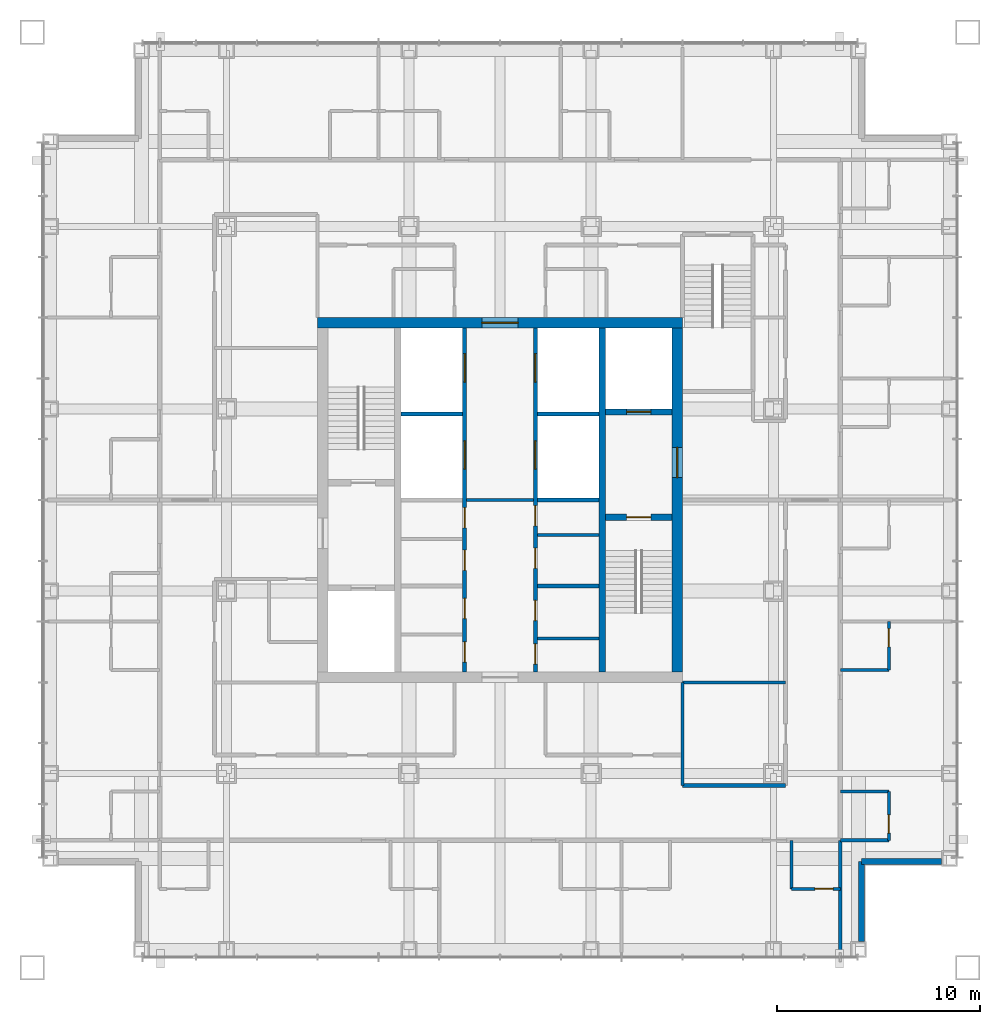
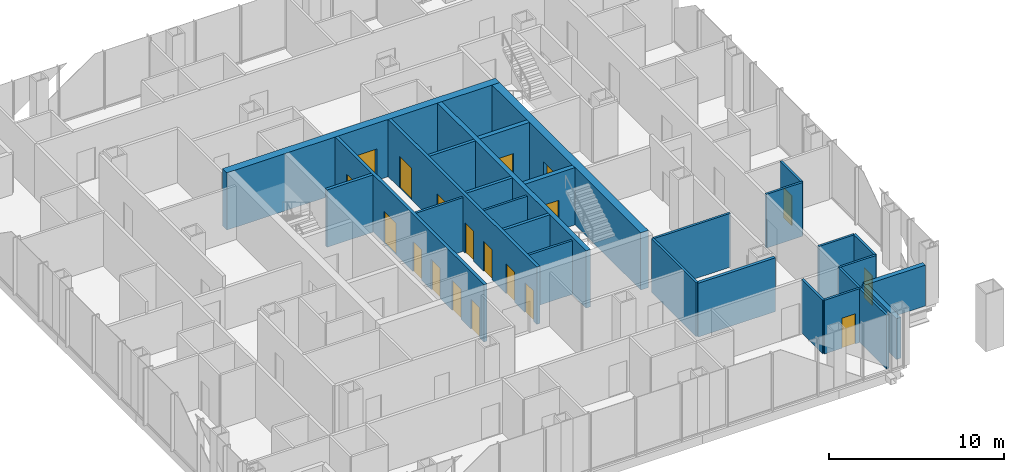
# One storey, part 8 of 15: 27 walls, 19 doors, 19 openings.
"""IFC4 building model written with IfcOpenShell, lengths in metres."""

from ifc_helpers import new_model, si_unit, direction, frame, frame_2d, origin, place, context, subcontext, project, spatial, rectangle, extrude, material, layer, layer_set, type_object, element, fill, save


model = new_model("IFC4")

# Units and contexts
model_context = context("Model", 3, precision=1e-05, world=origin(), true_north=direction((0.0, 1.0)))
body_context = subcontext(model_context, "Body", "Model", "MODEL_VIEW")
ifc_project = project(units=[si_unit("LENGTHUNIT", "METRE"), si_unit("AREAUNIT", "SQUARE_METRE"), si_unit("VOLUMEUNIT", "CUBIC_METRE"), si_unit("PLANEANGLEUNIT", "RADIAN"), si_unit("MASSUNIT", "GRAM", prefix="KILO")], contexts=[model_context])

# Site, building, storey
site_placement = place(None, origin())
site = spatial("IfcSite", under=ifc_project, at=site_placement, CompositionType="ELEMENT")
building_placement = place(site_placement, origin())
building = spatial("IfcBuilding", under=site, at=building_placement, Name="Malebo Sky Hospital", CompositionType="ELEMENT")
storey_placement = place(building_placement, frame((0.0, 0.0, 181.0)))
storey = spatial("IfcBuildingStorey", under=building, at=storey_placement, Name="L43", CompositionType="ELEMENT", Elevation=181.0)

# Wall, openings, doors
ifc_material_1 = material(Name="Concrete C80/95", Category="concrete")
ifc_layer_1 = layer(ifc_material_1, 0.199951171875)
ifc_layer_set_1 = layer_set([ifc_layer_1], Name="CORE INNER WALL 200")
wall_type_1 = type_object("IfcWallType", Name="CORE INNER WALL 200", PredefinedType="SHEAR", material=ifc_layer_set_1)
wall_1_placement = place(storey_placement, frame((58.25, 53.5, 0.0), z_axis=(0.0, 0.0, 1.0), x_axis=(0.0, 1.0, 0.0)))
wall_1 = element("IfcWall", 1, at=wall_1_placement, inside=storey, type_object=wall_type_1, Name="Core wall LW L43", PredefinedType="SHEAR", context=body_context, shape_type="SweptSolid", body=[
    extrude(rectangle(XDim=17.0, YDim=0.199951171875, at=frame_2d((8.5, 0.0))), origin(), (0.0, 0.0, 1.0), 4.0),
])
opening_1_placement = place(wall_1_placement, frame((0.49609375, 0.0, 0.0)))
opening_1 = element("IfcOpeningElement", 2, at=opening_1_placement, cuts=wall_1, Name="Opening D17", PredefinedType="OPENING", context=body_context, shape_type="SweptSolid", body=[
    extrude(rectangle(XDim=1.0, YDim=2.10009765625, at=frame_2d((0.5, 1.050048828125))), frame((0.0, 0.10986328125, 0.0), z_axis=(0.0, -1.0, 0.0), x_axis=(1.0, 0.0, 0.0)), (0.0, 0.0, 1.0), 0.219970703125),
])
opening_2_placement = place(wall_1_placement, frame((2.64599609375, 0.0, 0.0)))
opening_2 = element("IfcOpeningElement", 3, at=opening_2_placement, cuts=wall_1, Name="Opening D17", PredefinedType="OPENING", context=body_context, shape_type="SweptSolid", body=[
    extrude(rectangle(XDim=1.0, YDim=2.10009765625, at=frame_2d((0.5, 1.050048828125))), frame((0.0, 0.10986328125, 0.0), z_axis=(0.0, -1.0, 0.0), x_axis=(1.0, 0.0, 0.0)), (0.0, 0.0, 1.0), 0.219970703125),
])
opening_3_placement = place(wall_1_placement, frame((5.026611328125, 0.0, 0.0)))
opening_3 = element("IfcOpeningElement", 4, at=opening_3_placement, cuts=wall_1, Name="Opening D17", PredefinedType="OPENING", context=body_context, shape_type="SweptSolid", body=[
    extrude(rectangle(XDim=1.0, YDim=2.10009765625, at=frame_2d((0.5, 1.050048828125))), frame((0.0, 0.10986328125, 0.0), z_axis=(0.0, -1.0, 0.0), x_axis=(1.0, 0.0, 0.0)), (0.0, 0.0, 1.0), 0.219970703125),
])
opening_4_placement = place(wall_1_placement, frame((7.12646484375, 0.0, 0.0)))
opening_4 = element("IfcOpeningElement", 5, at=opening_4_placement, cuts=wall_1, Name="Opening D17", PredefinedType="OPENING", context=body_context, shape_type="SweptSolid", body=[
    extrude(rectangle(XDim=1.0, YDim=2.10009765625, at=frame_2d((0.5, 1.050048828125))), frame((0.0, 0.10986328125, 0.0), z_axis=(0.0, -1.0, 0.0), x_axis=(1.0, 0.0, 0.0)), (0.0, 0.0, 1.0), 0.219970703125),
])
opening_5_placement = place(wall_1_placement, frame((10.02490234375, 0.0, 0.0)))
opening_5 = element("IfcOpeningElement", 6, at=opening_5_placement, cuts=wall_1, Name="Opening LD1", PredefinedType="OPENING", context=body_context, shape_type="SweptSolid", body=[
    extrude(rectangle(XDim=1.39990234375, YDim=2.199951171875, at=frame_2d((0.699951171875, 1.10009765625))), frame((0.0, 0.10986328125, 0.0), z_axis=(0.0, -1.0, 0.0), x_axis=(1.0, 0.0, 0.0)), (0.0, 0.0, 1.0), 0.219970703125),
])
opening_6_placement = place(wall_1_placement, frame((14.324951171875, 0.0, 0.0)))
opening_6 = element("IfcOpeningElement", 7, at=opening_6_placement, cuts=wall_1, Name="Opening LD1", PredefinedType="OPENING", context=body_context, shape_type="SweptSolid", body=[
    extrude(rectangle(XDim=1.39990234375, YDim=2.199951171875, at=frame_2d((0.699951171875, 1.10009765625))), frame((0.0, 0.10986328125, 0.0), z_axis=(0.0, -1.0, 0.0), x_axis=(1.0, 0.0, 0.0)), (0.0, 0.0, 1.0), 0.219970703125),
])
ifc_material_2 = material(Name="Hardwood-faced door leaf in steel frame", Category="steel")
door_type_1 = type_object("IfcDoorType", Name="FIRE DOOR 1000", OperationType="SINGLE_SWING_LEFT", PredefinedType="DOOR", material=ifc_material_2)
door_1_placement = place(opening_1_placement, origin())
door_1 = element("IfcDoor", 8, at=door_1_placement, inside=storey, type_object=door_type_1, Name="Linen store door", OperationType="SINGLE_SWING_RIGHT", OverallHeight=2.10009765625, OverallWidth=1.0, PredefinedType="DOOR", context=body_context, shape_type="SweptSolid", body=[
    extrude(rectangle(XDim=1.0, YDim=2.10009765625, at=frame_2d((0.5, 1.050048828125))), frame((0.0, 0.02490234375, 0.0), z_axis=(0.0, -1.0, 0.0), x_axis=(1.0, 0.0, 0.0)), (0.0, 0.0, 1.0), 0.050048828125),
])
fill(opening_1, door_1)
door_2_placement = place(opening_2_placement, origin())
door_2 = element("IfcDoor", 9, at=door_2_placement, inside=storey, type_object=door_type_1, Name="Supplies store door", OperationType="SINGLE_SWING_RIGHT", OverallHeight=2.10009765625, OverallWidth=1.0, PredefinedType="DOOR", context=body_context, shape_type="SweptSolid", body=[
    extrude(rectangle(XDim=1.0, YDim=2.10009765625, at=frame_2d((0.5, 1.050048828125))), frame((0.0, 0.02490234375, 0.0), z_axis=(0.0, -1.0, 0.0), x_axis=(1.0, 0.0, 0.0)), (0.0, 0.0, 1.0), 0.050048828125),
])
fill(opening_2, door_2)
door_3_placement = place(opening_3_placement, origin())
door_3 = element("IfcDoor", 10, at=door_3_placement, inside=storey, type_object=door_type_1, Name="Mattress store door", OperationType="SINGLE_SWING_RIGHT", OverallHeight=2.10009765625, OverallWidth=1.0, PredefinedType="DOOR", context=body_context, shape_type="SweptSolid", body=[
    extrude(rectangle(XDim=1.0, YDim=2.10009765625, at=frame_2d((0.5, 1.050048828125))), frame((0.0, 0.02490234375, 0.0), z_axis=(0.0, -1.0, 0.0), x_axis=(1.0, 0.0, 0.0)), (0.0, 0.0, 1.0), 0.050048828125),
])
fill(opening_3, door_3)
door_4_placement = place(opening_4_placement, origin())
door_4 = element("IfcDoor", 11, at=door_4_placement, inside=storey, type_object=door_type_1, Name="Cleaning equipment store door", OperationType="SINGLE_SWING_RIGHT", OverallHeight=2.10009765625, OverallWidth=1.0, PredefinedType="DOOR", context=body_context, shape_type="SweptSolid", body=[
    extrude(rectangle(XDim=1.0, YDim=2.10009765625, at=frame_2d((0.5, 1.050048828125))), frame((0.0, 0.02490234375, 0.0), z_axis=(0.0, -1.0, 0.0), x_axis=(1.0, 0.0, 0.0)), (0.0, 0.0, 1.0), 0.050048828125),
])
fill(opening_4, door_4)
ifc_material_3 = material(Name="Stainless steel sliding landing door", Category="steel")
door_type_2 = type_object("IfcDoorType", Name="LIFT LANDING DOOR 1400", OperationType="SLIDING_TO_LEFT", PredefinedType="DOOR", material=ifc_material_3)
door_5_placement = place(opening_5_placement, origin())
door_5 = element("IfcDoor", 12, at=door_5_placement, inside=storey, type_object=door_type_2, Name="Lift W3 landing door", OperationType="SLIDING_TO_LEFT", OverallHeight=2.199951171875, OverallWidth=1.39990234375, PredefinedType="DOOR", context=body_context, shape_type="SweptSolid", body=[
    extrude(rectangle(XDim=1.39990234375, YDim=2.199951171875, at=frame_2d((0.699951171875, 1.10009765625))), frame((0.0, 0.02490234375, 0.0), z_axis=(0.0, -1.0, 0.0), x_axis=(1.0, 0.0, 0.0)), (0.0, 0.0, 1.0), 0.050048828125),
])
fill(opening_5, door_5)
door_6_placement = place(opening_6_placement, origin())
door_6 = element("IfcDoor", 13, at=door_6_placement, inside=storey, type_object=door_type_2, Name="Lift W4 landing door", OperationType="SLIDING_TO_LEFT", OverallHeight=2.199951171875, OverallWidth=1.39990234375, PredefinedType="DOOR", context=body_context, shape_type="SweptSolid", body=[
    extrude(rectangle(XDim=1.39990234375, YDim=2.199951171875, at=frame_2d((0.699951171875, 1.10009765625))), frame((0.0, 0.02490234375, 0.0), z_axis=(0.0, -1.0, 0.0), x_axis=(1.0, 0.0, 0.0)), (0.0, 0.0, 1.0), 0.050048828125),
])
fill(opening_6, door_6)

wall_2_placement = place(storey_placement, frame((61.75, 53.5, 0.0), z_axis=(0.0, 0.0, 1.0), x_axis=(0.0, 1.0, 0.0)))
wall_2 = element("IfcWall", 14, at=wall_2_placement, inside=storey, type_object=wall_type_1, Name="Core wall LE L43", PredefinedType="SHEAR", context=body_context, shape_type="SweptSolid", body=[
    extrude(rectangle(XDim=17.0, YDim=0.199951171875, at=frame_2d((8.5, 0.0))), origin(), (0.0, 0.0, 1.0), 4.0),
])
opening_7_placement = place(wall_2_placement, frame((0.392578125, 0.0, 0.0)))
opening_7 = element("IfcOpeningElement", 15, at=opening_7_placement, cuts=wall_2, Name="Opening D17", PredefinedType="OPENING", context=body_context, shape_type="SweptSolid", body=[
    extrude(rectangle(XDim=1.0, YDim=2.10009765625, at=frame_2d((0.5, 1.050048828125))), frame((0.0, 0.10986328125, 0.0), z_axis=(0.0, -1.0, 0.0), x_axis=(1.0, 0.0, 0.0)), (0.0, 0.0, 1.0), 0.219970703125),
])
opening_8_placement = place(wall_2_placement, frame((2.54248046875, 0.0, 0.0)))
opening_8 = element("IfcOpeningElement", 16, at=opening_8_placement, cuts=wall_2, Name="Opening D17", PredefinedType="OPENING", context=body_context, shape_type="SweptSolid", body=[
    extrude(rectangle(XDim=1.0, YDim=2.10009765625, at=frame_2d((0.5, 1.050048828125))), frame((0.0, 0.10986328125, 0.0), z_axis=(0.0, -1.0, 0.0), x_axis=(1.0, 0.0, 0.0)), (0.0, 0.0, 1.0), 0.219970703125),
])
opening_9_placement = place(wall_2_placement, frame((5.12744140625, 0.0, 0.0)))
opening_9 = element("IfcOpeningElement", 17, at=opening_9_placement, cuts=wall_2, Name="Opening D17", PredefinedType="OPENING", context=body_context, shape_type="SweptSolid", body=[
    extrude(rectangle(XDim=1.0, YDim=2.10009765625, at=frame_2d((0.5, 1.050048828125))), frame((0.0, 0.10986328125, 0.0), z_axis=(0.0, -1.0, 0.0), x_axis=(1.0, 0.0, 0.0)), (0.0, 0.0, 1.0), 0.219970703125),
])
opening_10_placement = place(wall_2_placement, frame((7.2275390625, 0.0, 0.0)))
opening_10 = element("IfcOpeningElement", 18, at=opening_10_placement, cuts=wall_2, Name="Opening D17", PredefinedType="OPENING", context=body_context, shape_type="SweptSolid", body=[
    extrude(rectangle(XDim=1.0, YDim=2.10009765625, at=frame_2d((0.5, 1.050048828125))), frame((0.0, 0.10986328125, 0.0), z_axis=(0.0, -1.0, 0.0), x_axis=(1.0, 0.0, 0.0)), (0.0, 0.0, 1.0), 0.219970703125),
])
opening_11_placement = place(wall_2_placement, frame((10.02490234375, 0.0, 0.0)))
opening_11 = element("IfcOpeningElement", 19, at=opening_11_placement, cuts=wall_2, Name="Opening LD1", PredefinedType="OPENING", context=body_context, shape_type="SweptSolid", body=[
    extrude(rectangle(XDim=1.39990234375, YDim=2.199951171875, at=frame_2d((0.699951171875, 1.10009765625))), frame((0.0, 0.10986328125, 0.0), z_axis=(0.0, -1.0, 0.0), x_axis=(1.0, 0.0, 0.0)), (0.0, 0.0, 1.0), 0.219970703125),
])
opening_12_placement = place(wall_2_placement, frame((14.324951171875, 0.0, 0.0)))
opening_12 = element("IfcOpeningElement", 20, at=opening_12_placement, cuts=wall_2, Name="Opening LD1", PredefinedType="OPENING", context=body_context, shape_type="SweptSolid", body=[
    extrude(rectangle(XDim=1.39990234375, YDim=2.199951171875, at=frame_2d((0.699951171875, 1.10009765625))), frame((0.0, 0.10986328125, 0.0), z_axis=(0.0, -1.0, 0.0), x_axis=(1.0, 0.0, 0.0)), (0.0, 0.0, 1.0), 0.219970703125),
])
door_7_placement = place(opening_7_placement, origin())
door_7 = element("IfcDoor", 21, at=door_7_placement, inside=storey, type_object=door_type_1, Name="Archive store door", OperationType="SINGLE_SWING_RIGHT", OverallHeight=2.10009765625, OverallWidth=1.0, PredefinedType="DOOR", context=body_context, shape_type="SweptSolid", body=[
    extrude(rectangle(XDim=1.0, YDim=2.10009765625, at=frame_2d((0.5, 1.050048828125))), frame((0.0, 0.02490234375, 0.0), z_axis=(0.0, -1.0, 0.0), x_axis=(1.0, 0.0, 0.0)), (0.0, 0.0, 1.0), 0.050048828125),
])
fill(opening_7, door_7)
door_8_placement = place(opening_8_placement, origin())
door_8 = element("IfcDoor", 22, at=door_8_placement, inside=storey, type_object=door_type_1, Name="General store door", OperationType="SINGLE_SWING_RIGHT", OverallHeight=2.10009765625, OverallWidth=1.0, PredefinedType="DOOR", context=body_context, shape_type="SweptSolid", body=[
    extrude(rectangle(XDim=1.0, YDim=2.10009765625, at=frame_2d((0.5, 1.050048828125))), frame((0.0, 0.02490234375, 0.0), z_axis=(0.0, -1.0, 0.0), x_axis=(1.0, 0.0, 0.0)), (0.0, 0.0, 1.0), 0.050048828125),
])
fill(opening_8, door_8)
door_9_placement = place(opening_9_placement, origin())
door_9 = element("IfcDoor", 23, at=door_9_placement, inside=storey, type_object=door_type_1, Name="Records store door", OperationType="SINGLE_SWING_RIGHT", OverallHeight=2.10009765625, OverallWidth=1.0, PredefinedType="DOOR", context=body_context, shape_type="SweptSolid", body=[
    extrude(rectangle(XDim=1.0, YDim=2.10009765625, at=frame_2d((0.5, 1.050048828125))), frame((0.0, 0.02490234375, 0.0), z_axis=(0.0, -1.0, 0.0), x_axis=(1.0, 0.0, 0.0)), (0.0, 0.0, 1.0), 0.050048828125),
])
fill(opening_9, door_9)
door_10_placement = place(opening_10_placement, origin())
door_10 = element("IfcDoor", 24, at=door_10_placement, inside=storey, type_object=door_type_1, Name="Equipment store door", OperationType="SINGLE_SWING_RIGHT", OverallHeight=2.10009765625, OverallWidth=1.0, PredefinedType="DOOR", context=body_context, shape_type="SweptSolid", body=[
    extrude(rectangle(XDim=1.0, YDim=2.10009765625, at=frame_2d((0.5, 1.050048828125))), frame((0.0, 0.02490234375, 0.0), z_axis=(0.0, -1.0, 0.0), x_axis=(1.0, 0.0, 0.0)), (0.0, 0.0, 1.0), 0.050048828125),
])
fill(opening_10, door_10)
door_11_placement = place(opening_11_placement, origin())
door_11 = element("IfcDoor", 25, at=door_11_placement, inside=storey, type_object=door_type_2, Name="Lift E3 landing door", OperationType="SLIDING_TO_LEFT", OverallHeight=2.199951171875, OverallWidth=1.39990234375, PredefinedType="DOOR", context=body_context, shape_type="SweptSolid", body=[
    extrude(rectangle(XDim=1.39990234375, YDim=2.199951171875, at=frame_2d((0.699951171875, 1.10009765625))), frame((0.0, 0.02490234375, 0.0), z_axis=(0.0, -1.0, 0.0), x_axis=(1.0, 0.0, 0.0)), (0.0, 0.0, 1.0), 0.050048828125),
])
fill(opening_11, door_11)
door_12_placement = place(opening_12_placement, origin())
door_12 = element("IfcDoor", 26, at=door_12_placement, inside=storey, type_object=door_type_2, Name="Lift E4 landing door", OperationType="SLIDING_TO_LEFT", OverallHeight=2.199951171875, OverallWidth=1.39990234375, PredefinedType="DOOR", context=body_context, shape_type="SweptSolid", body=[
    extrude(rectangle(XDim=1.39990234375, YDim=2.199951171875, at=frame_2d((0.699951171875, 1.10009765625))), frame((0.0, 0.02490234375, 0.0), z_axis=(0.0, -1.0, 0.0), x_axis=(1.0, 0.0, 0.0)), (0.0, 0.0, 1.0), 0.050048828125),
])
fill(opening_12, door_12)

# Walls
for number, where, z_axis, x_axis, name in (
    (27, (61.85009765625, 57.75, 0.0), (0.0, 0.0, 1.0), (1.0, 0.0, 0.0), "Core wall SE0 L43"),
    (28, (61.85009765625, 62.0, 0.0), (0.0, 0.0, 1.0), (1.0, 0.0, 0.0), "Core wall SE1 L43"),
    (29, (55.10009765625, 66.25, 0.0), (0.0, 0.0, 1.0), (1.0, 0.0, 0.0), "Core wall SW2 L43"),
    (30, (61.85009765625, 66.25, 0.0), (0.0, 0.0, 1.0), (1.0, 0.0, 0.0), "Core wall SE2 L43"),
):
    element("IfcWall", number, at=place(storey_placement, frame(where, z_axis=z_axis, x_axis=x_axis)), inside=storey, type_object=wall_type_1, Name=name, PredefinedType="SHEAR", context=body_context, shape_type="SweptSolid", body=[
        extrude(rectangle(XDim=3.0498046875, YDim=0.199951171875, at=frame_2d((1.52490234375, 0.0))), origin(), (0.0, 0.0, 1.0), 4.0),
    ])
ifc_layer_2 = layer(ifc_material_1, 0.300048828125)
ifc_layer_set_2 = layer_set([ifc_layer_2], Name="CORE INNER WALL 300")
wall_type_2 = type_object("IfcWallType", Name="CORE INNER WALL 300", PredefinedType="SHEAR", material=ifc_layer_set_2)
wall_3_placement = place(storey_placement, frame((65.050048828125, 53.5, 0.0), z_axis=(0.0, 0.0, 1.0), x_axis=(0.0, 1.0, 0.0)))
element("IfcWall", 31, at=wall_3_placement, inside=storey, type_object=wall_type_2, Name="Core wall XE L43", PredefinedType="SHEAR", context=body_context, shape_type="SweptSolid", body=[
    extrude(rectangle(XDim=17.0, YDim=0.300048828125, at=frame_2d((8.5, 0.0))), origin(), (0.0, 0.0, 1.0), 4.0),
])

# Wall, opening, door
wall_4_placement = place(storey_placement, frame((65.199951171875, 61.14990234375, 0.0), z_axis=(0.0, 0.0, 1.0), x_axis=(1.0, 0.0, 0.0)))
wall_4 = element("IfcWall", 32, at=wall_4_placement, inside=storey, type_object=wall_type_2, Name="Core wall E1 L43", PredefinedType="SHEAR", context=body_context, shape_type="SweptSolid", body=[
    extrude(rectangle(XDim=3.300048828125, YDim=0.300048828125, at=frame_2d((1.64990234375, 0.0))), origin(), (0.0, 0.0, 1.0), 4.0),
])
opening_13_placement = place(wall_4_placement, frame((1.050048828125, 0.0, 0.0)))
opening_13 = element("IfcOpeningElement", 33, at=opening_13_placement, cuts=wall_4, Name="Opening D08", PredefinedType="OPENING", context=body_context, shape_type="SweptSolid", body=[
    extrude(rectangle(XDim=1.199951171875, YDim=2.10009765625, at=frame_2d((0.60009765625, 1.050048828125))), frame((0.0, 0.159912109375, 0.0), z_axis=(0.0, -1.0, 0.0), x_axis=(1.0, 0.0, 0.0)), (0.0, 0.0, 1.0), 0.320068359375),
])
door_type_3 = type_object("IfcDoorType", Name="STAIR DOOR 1200", OperationType="SINGLE_SWING_LEFT", PredefinedType="DOOR", material=ifc_material_2)
door_13_placement = place(opening_13_placement, origin())
door_13 = element("IfcDoor", 34, at=door_13_placement, inside=storey, type_object=door_type_3, Name="Stair S2 door", OperationType="SINGLE_SWING_LEFT", OverallHeight=2.10009765625, OverallWidth=1.199951171875, PredefinedType="DOOR", context=body_context, shape_type="SweptSolid", body=[
    extrude(rectangle(XDim=1.199951171875, YDim=2.10009765625, at=frame_2d((0.60009765625, 1.050048828125))), frame((0.0, 0.02490234375, 0.0), z_axis=(0.0, -1.0, 0.0), x_axis=(1.0, 0.0, 0.0)), (0.0, 0.0, 1.0), 0.050048828125),
])
fill(opening_13, door_13)

wall_5_placement = place(storey_placement, frame((65.199951171875, 66.35009765625, 0.0), z_axis=(0.0, 0.0, 1.0), x_axis=(1.0, 0.0, 0.0)))
wall_5 = element("IfcWall", 35, at=wall_5_placement, inside=storey, type_object=wall_type_2, Name="Core wall E2 L43", PredefinedType="SHEAR", context=body_context, shape_type="SweptSolid", body=[
    extrude(rectangle(XDim=3.300048828125, YDim=0.300048828125, at=frame_2d((1.64990234375, 0.0))), origin(), (0.0, 0.0, 1.0), 4.0),
])
opening_14_placement = place(wall_5_placement, frame((1.050048828125, 0.0, 0.0)))
opening_14 = element("IfcOpeningElement", 36, at=opening_14_placement, cuts=wall_5, Name="Opening LD2", PredefinedType="OPENING", context=body_context, shape_type="SweptSolid", body=[
    extrude(rectangle(XDim=1.199951171875, YDim=2.199951171875, at=frame_2d((0.60009765625, 1.10009765625))), frame((0.0, 0.159912109375, 0.0), z_axis=(0.0, -1.0, 0.0), x_axis=(1.0, 0.0, 0.0)), (0.0, 0.0, 1.0), 0.320068359375),
])
door_type_4 = type_object("IfcDoorType", Name="FIRE-FIGHTING LIFT LANDING DOOR 1200", OperationType="SLIDING_TO_LEFT", PredefinedType="DOOR", material=ifc_material_3)
door_14_placement = place(opening_14_placement, origin())
door_14 = element("IfcDoor", 37, at=door_14_placement, inside=storey, type_object=door_type_4, Name="Lift FL2 landing door", OperationType="SLIDING_TO_LEFT", OverallHeight=2.199951171875, OverallWidth=1.199951171875, PredefinedType="DOOR", context=body_context, shape_type="SweptSolid", body=[
    extrude(rectangle(XDim=1.199951171875, YDim=2.199951171875, at=frame_2d((0.60009765625, 1.10009765625))), frame((0.0, 0.02490234375, 0.0), z_axis=(0.0, -1.0, 0.0), x_axis=(1.0, 0.0, 0.0)), (0.0, 0.0, 1.0), 0.050048828125),
])
fill(opening_14, door_14)

ifc_layer_3 = layer(ifc_material_1, 0.5)
ifc_layer_set_3 = layer_set([ifc_layer_3], Name="CORE WALL 500")
wall_type_3 = type_object("IfcWallType", Name="CORE WALL 500", PredefinedType="SHEAR", material=ifc_layer_set_3)
wall_6_placement = place(storey_placement, frame((51.0, 70.75, 0.0), z_axis=(0.0, 0.0, 1.0), x_axis=(1.0, 0.0, 0.0)))
wall_6 = element("IfcWall", 38, at=wall_6_placement, inside=storey, type_object=wall_type_3, Name="Core wall N L43", PredefinedType="SHEAR", context=body_context, shape_type="SweptSolid", body=[
    extrude(rectangle(XDim=18.0, YDim=0.5, at=frame_2d((9.0, 0.0))), origin(), (0.0, 0.0, 1.0), 4.0),
])
opening_15_placement = place(wall_6_placement, frame((8.10009765625, 0.0, 0.0)))
opening_15 = element("IfcOpeningElement", 39, at=opening_15_placement, cuts=wall_6, Name="Opening D06", PredefinedType="OPENING", context=body_context, shape_type="SweptSolid", body=[
    extrude(rectangle(XDim=1.800048828125, YDim=2.199951171875, at=frame_2d((0.89990234375, 1.10009765625))), frame((0.0, 0.260009765625, 0.0), z_axis=(0.0, -1.0, 0.0), x_axis=(1.0, 0.0, 0.0)), (0.0, 0.0, 1.0), 0.52001953125),
])
door_type_5 = type_object("IfcDoorType", Name="LOBBY DOOR PAIR 1800", OperationType="DOUBLE_DOOR_SINGLE_SWING", PredefinedType="DOOR", material=ifc_material_2)
door_15_placement = place(opening_15_placement, origin())
door_15 = element("IfcDoor", 40, at=door_15_placement, inside=storey, type_object=door_type_5, Name="Lift lobby door north", OperationType="DOUBLE_DOOR_SINGLE_SWING", OverallHeight=2.199951171875, OverallWidth=1.800048828125, PredefinedType="DOOR", context=body_context, shape_type="SweptSolid", body=[
    extrude(rectangle(XDim=1.800048828125, YDim=2.199951171875, at=frame_2d((0.89990234375, 1.10009765625))), frame((0.0, 0.02490234375, 0.0), z_axis=(0.0, -1.0, 0.0), x_axis=(1.0, 0.0, 0.0)), (0.0, 0.0, 1.0), 0.050048828125),
])
fill(opening_15, door_15)

wall_7_placement = place(storey_placement, frame((68.75, 53.5, 0.0), z_axis=(0.0, 0.0, 1.0), x_axis=(0.0, 1.0, 0.0)))
wall_7 = element("IfcWall", 41, at=wall_7_placement, inside=storey, type_object=wall_type_3, Name="Core wall E L43", PredefinedType="SHEAR", context=body_context, shape_type="SweptSolid", body=[
    extrude(rectangle(XDim=17.0, YDim=0.5, at=frame_2d((8.5, 0.0))), origin(), (0.0, 0.0, 1.0), 4.0),
])
opening_16_placement = place(wall_7_placement, frame((9.60009765625, 0.0, 0.0)))
opening_16 = element("IfcOpeningElement", 42, at=opening_16_placement, cuts=wall_7, Name="Opening D07", PredefinedType="OPENING", context=body_context, shape_type="SweptSolid", body=[
    extrude(rectangle(XDim=1.5, YDim=2.199951171875, at=frame_2d((0.75, 1.10009765625))), frame((0.0, 0.260009765625, 0.0), z_axis=(0.0, -1.0, 0.0), x_axis=(1.0, 0.0, 0.0)), (0.0, 0.0, 1.0), 0.52001953125),
])
door_type_6 = type_object("IfcDoorType", Name="FIRE-FIGHTING LOBBY DOOR PAIR 1500", OperationType="DOUBLE_DOOR_SINGLE_SWING", PredefinedType="DOOR", material=ifc_material_2)
door_16_placement = place(opening_16_placement, origin())
door_16 = element("IfcDoor", 43, at=door_16_placement, inside=storey, type_object=door_type_6, Name="Fire-fighting lobby door east", OperationType="DOUBLE_DOOR_SINGLE_SWING", OverallHeight=2.199951171875, OverallWidth=1.5, PredefinedType="DOOR", context=body_context, shape_type="SweptSolid", body=[
    extrude(rectangle(XDim=1.5, YDim=2.199951171875, at=frame_2d((0.75, 1.10009765625))), frame((0.0, 0.02490234375, 0.0), z_axis=(0.0, -1.0, 0.0), x_axis=(1.0, 0.0, 0.0)), (0.0, 0.0, 1.0), 0.050048828125),
])
fill(opening_16, door_16)

# Walls
ifc_material_4 = material(Name="Gypsum board on steel studs", Category="steel")
ifc_layer_4 = layer(ifc_material_4, 0.199951171875)
ifc_layer_set_4 = layer_set([ifc_layer_4], Name="CORRIDOR WALL 200")
wall_type_4 = type_object("IfcWallType", Name="CORRIDOR WALL 200", PredefinedType="PARTITIONING", material=ifc_layer_set_4)
wall_8_placement = place(storey_placement, frame((74.10009765625, 47.89990234375, 0.0), z_axis=(0.0, 0.0, 1.0), x_axis=(-1.0, 0.0, 0.0)))
element("IfcWall", 44, at=wall_8_placement, inside=storey, type_object=wall_type_4, Name="Corridor Wall 200 SCIK", PredefinedType="PARTITIONING", context=body_context, shape_type="SweptSolid", body=[
    extrude(rectangle(XDim=5.10009765625, YDim=0.199951171875, at=frame_2d((2.550048828125, 0.0))), origin(), (0.0, 0.0, 1.0), 3.75),
])
ifc_material_5 = material(Name="Anodised aluminium rainscreen on steel framing", Category="steel")
ifc_layer_5 = layer(ifc_material_5, 0.300048828125)
ifc_layer_set_5 = layer_set([ifc_layer_5], Name="NOTCH RAINSCREEN WALL 300")
wall_type_5 = type_object("IfcWallType", Name="NOTCH RAINSCREEN WALL 300", PredefinedType="ELEMENTEDWALL", material=ifc_layer_set_5)
for number, where, z_axis, x_axis, name in (
    (45, (81.800048828125, 44.14990234375, 0.0), (0.0, 0.0, 1.0), (-1.0, 0.0, 0.0), "Notch rainscreen wall E1 L43"),
    (46, (77.85009765625, 44.14990234375, 0.0), (0.0, 0.0, 1.0), (0.0, -1.0, 0.0), "Notch rainscreen wall E2 L43"),
):
    element("IfcWall", number, at=place(storey_placement, frame(where, z_axis=z_axis, x_axis=x_axis)), inside=storey, type_object=wall_type_5, Name=name, PredefinedType="ELEMENTEDWALL", context=body_context, shape_type="SweptSolid", body=[
        extrude(rectangle(XDim=3.949951171875, YDim=0.300048828125, at=frame_2d((1.97509765625, 0.0))), origin(), (0.0, 0.0, 1.0), 2.85009765625),
    ])
ifc_layer_6 = layer(ifc_material_4, 0.14990234375)
ifc_layer_set_6 = layer_set([ifc_layer_6], Name="PARTITION 150")
wall_type_6 = type_object("IfcWallType", Name="PARTITION 150", PredefinedType="PARTITIONING", material=ifc_layer_set_6)
wall_9_placement = place(storey_placement, frame((76.800048828125, 45.199951171875, 0.0), z_axis=(0.0, 0.0, 1.0), x_axis=(0.0, -1.0, 0.0)))
element("IfcWall", 47, at=wall_9_placement, inside=storey, type_object=wall_type_6, Name="Partition 150 SP0", PredefinedType="PARTITIONING", context=body_context, shape_type="SweptSolid", body=[
    extrude(rectangle(XDim=5.550048828125, YDim=0.14990234375, at=frame_2d((2.77490234375, 0.0))), origin(), (0.0, 0.0, 1.0), 3.75),
])

# Wall, opening, door
wall_10_placement = place(storey_placement, frame((76.800048828125, 42.800048828125, 0.0), z_axis=(0.0, 0.0, 1.0), x_axis=(-1.0, 0.0, 0.0)))
wall_10 = element("IfcWall", 48, at=wall_10_placement, inside=storey, type_object=wall_type_6, Name="Partition 150 SE0F", PredefinedType="PARTITIONING", context=body_context, shape_type="SweptSolid", body=[
    extrude(rectangle(XDim=2.400146484375, YDim=0.14990234375, at=frame_2d((1.2001953125, 0.0))), origin(), (0.0, 0.0, 1.0), 3.75),
])
opening_17_placement = place(wall_10_placement, frame((0.35009765625, 0.0, 0.0)))
opening_17 = element("IfcOpeningElement", 49, at=opening_17_placement, cuts=wall_10, Name="Opening D02", PredefinedType="OPENING", context=body_context, shape_type="SweptSolid", body=[
    extrude(rectangle(XDim=0.89990234375, YDim=2.10009765625, at=frame_2d((0.449951171875, 1.050048828125))), frame((0.0, 0.0849609375, 0.0), z_axis=(0.0, -1.0, 0.0), x_axis=(1.0, 0.0, 0.0)), (0.0, 0.0, 1.0), 0.169921875),
])
door_type_7 = type_object("IfcDoorType", Name="EN-SUITE DOOR 900", OperationType="SINGLE_SWING_LEFT", PredefinedType="DOOR", material=ifc_material_2)
door_17_placement = place(opening_17_placement, origin())
door_17 = element("IfcDoor", 50, at=door_17_placement, inside=storey, type_object=door_type_7, Name="En-suite door", OperationType="SINGLE_SWING_LEFT", OverallHeight=2.10009765625, OverallWidth=0.89990234375, PredefinedType="DOOR", context=body_context, shape_type="SweptSolid", body=[
    extrude(rectangle(XDim=0.89990234375, YDim=2.10009765625, at=frame_2d((0.449951171875, 1.050048828125))), frame((0.0, 0.02490234375, 0.0), z_axis=(0.0, -1.0, 0.0), x_axis=(1.0, 0.0, 0.0)), (0.0, 0.0, 1.0), 0.050048828125),
])
fill(opening_17, door_17)

# Walls
wall_11_placement = place(storey_placement, frame((74.39990234375, 45.199951171875, 0.0), z_axis=(0.0, 0.0, 1.0), x_axis=(0.0, -1.0, 0.0)))
element("IfcWall", 51, at=wall_11_placement, inside=storey, type_object=wall_type_6, Name="Partition 150 SE0S", PredefinedType="PARTITIONING", context=body_context, shape_type="SweptSolid", body=[
    extrude(rectangle(XDim=2.39990234375, YDim=0.14990234375, at=frame_2d((1.199951171875, 0.0))), origin(), (0.0, 0.0, 1.0), 3.75),
])
wall_12_placement = place(storey_placement, frame((69.0, 53.0, 0.0), z_axis=(0.0, 0.0, 1.0), x_axis=(0.0, -1.0, 0.0)))
element("IfcWall", 52, at=wall_12_placement, inside=storey, type_object=wall_type_6, Name="Partition 150 SSP0", PredefinedType="PARTITIONING", context=body_context, shape_type="SweptSolid", body=[
    extrude(rectangle(XDim=5.10009765625, YDim=0.14990234375, at=frame_2d((2.550048828125, 0.0))), origin(), (0.0, 0.0, 1.0), 3.75),
])

# Wall, opening, door
wall_13_placement = place(storey_placement, frame((79.199951171875, 56.0, 0.0), z_axis=(0.0, 0.0, 1.0), x_axis=(0.0, -1.0, 0.0)))
wall_13 = element("IfcWall", 53, at=wall_13_placement, inside=storey, type_object=wall_type_6, Name="Partition 150 EE4F", PredefinedType="PARTITIONING", context=body_context, shape_type="SweptSolid", body=[
    extrude(rectangle(XDim=2.39990234375, YDim=0.14990234375, at=frame_2d((1.199951171875, 0.0))), origin(), (0.0, 0.0, 1.0), 3.75),
])
opening_18_placement = place(wall_13_placement, frame((0.35009765625, 0.0, 0.0)))
opening_18 = element("IfcOpeningElement", 54, at=opening_18_placement, cuts=wall_13, Name="Opening D02", PredefinedType="OPENING", context=body_context, shape_type="SweptSolid", body=[
    extrude(rectangle(XDim=0.89990234375, YDim=2.10009765625, at=frame_2d((0.449951171875, 1.050048828125))), frame((0.0, 0.0849609375, 0.0), z_axis=(0.0, -1.0, 0.0), x_axis=(1.0, 0.0, 0.0)), (0.0, 0.0, 1.0), 0.169921875),
])
door_18_placement = place(opening_18_placement, origin())
door_18 = element("IfcDoor", 55, at=door_18_placement, inside=storey, type_object=door_type_7, Name="En-suite door", OperationType="SINGLE_SWING_LEFT", OverallHeight=2.10009765625, OverallWidth=0.89990234375, PredefinedType="DOOR", context=body_context, shape_type="SweptSolid", body=[
    extrude(rectangle(XDim=0.89990234375, YDim=2.10009765625, at=frame_2d((0.449951171875, 1.050048828125))), frame((0.0, 0.02490234375, 0.0), z_axis=(0.0, -1.0, 0.0), x_axis=(1.0, 0.0, 0.0)), (0.0, 0.0, 1.0), 0.050048828125),
])
fill(opening_18, door_18)

# Wall
wall_14_placement = place(storey_placement, frame((76.800048828125, 53.60009765625, 0.0), z_axis=(0.0, 0.0, 1.0), x_axis=(1.0, 0.0, 0.0)))
element("IfcWall", 56, at=wall_14_placement, inside=storey, type_object=wall_type_6, Name="Partition 150 EE4S", PredefinedType="PARTITIONING", context=body_context, shape_type="SweptSolid", body=[
    extrude(rectangle(XDim=2.39990234375, YDim=0.14990234375, at=frame_2d((1.199951171875, 0.0))), origin(), (0.0, 0.0, 1.0), 3.75),
])

# Wall, opening, door
wall_15_placement = place(storey_placement, frame((79.199951171875, 47.60009765625, 0.0), z_axis=(0.0, 0.0, 1.0), x_axis=(0.0, -1.0, 0.0)))
wall_15 = element("IfcWall", 57, at=wall_15_placement, inside=storey, type_object=wall_type_6, Name="Partition 150 EG4F", PredefinedType="PARTITIONING", context=body_context, shape_type="SweptSolid", body=[
    extrude(rectangle(XDim=2.400146484375, YDim=0.14990234375, at=frame_2d((1.2001953125, 0.0))), origin(), (0.0, 0.0, 1.0), 3.75),
])
opening_19_placement = place(wall_15_placement, frame((1.14990234375, 0.0, 0.0)))
opening_19 = element("IfcOpeningElement", 58, at=opening_19_placement, cuts=wall_15, Name="Opening D02", PredefinedType="OPENING", context=body_context, shape_type="SweptSolid", body=[
    extrude(rectangle(XDim=0.89990234375, YDim=2.10009765625, at=frame_2d((0.449951171875, 1.050048828125))), frame((0.0, 0.0849609375, 0.0), z_axis=(0.0, -1.0, 0.0), x_axis=(1.0, 0.0, 0.0)), (0.0, 0.0, 1.0), 0.169921875),
])
door_19_placement = place(opening_19_placement, origin())
door_19 = element("IfcDoor", 59, at=door_19_placement, inside=storey, type_object=door_type_7, Name="En-suite door", OperationType="SINGLE_SWING_RIGHT", OverallHeight=2.10009765625, OverallWidth=0.89990234375, PredefinedType="DOOR", context=body_context, shape_type="SweptSolid", body=[
    extrude(rectangle(XDim=0.89990234375, YDim=2.10009765625, at=frame_2d((0.449951171875, 1.050048828125))), frame((0.0, 0.02490234375, 0.0), z_axis=(0.0, -1.0, 0.0), x_axis=(1.0, 0.0, 0.0)), (0.0, 0.0, 1.0), 0.050048828125),
])
fill(opening_19, door_19)

# Walls
for number, where, z_axis, x_axis, name in (
    (60, (76.800048828125, 47.60009765625, 0.0), (0.0, 0.0, 1.0), (1.0, 0.0, 0.0), "Partition 150 EG4S"),
    (61, (76.800048828125, 45.199951171875, 0.0), (0.0, 0.0, 1.0), (1.0, 0.0, 0.0), "Partition 150 EEZ"),
):
    element("IfcWall", number, at=place(storey_placement, frame(where, z_axis=z_axis, x_axis=x_axis)), inside=storey, type_object=wall_type_6, Name=name, PredefinedType="PARTITIONING", context=body_context, shape_type="SweptSolid", body=[
        extrude(rectangle(XDim=2.39990234375, YDim=0.14990234375, at=frame_2d((1.199951171875, 0.0))), origin(), (0.0, 0.0, 1.0), 3.75),
    ])
wall_16_placement = place(storey_placement, frame((69.0, 53.0, 0.0), z_axis=(0.0, 0.0, 1.0), x_axis=(1.0, 0.0, 0.0)))
element("IfcWall", 62, at=wall_16_placement, inside=storey, type_object=wall_type_6, Name="Partition 150 ESP+9.0", PredefinedType="PARTITIONING", context=body_context, shape_type="SweptSolid", body=[
    extrude(rectangle(XDim=5.10009765625, YDim=0.14990234375, at=frame_2d((2.550048828125, 0.0))), origin(), (0.0, 0.0, 1.0), 3.75),
])
for number, where, z_axis, x_axis, name in (
    (63, (61.85009765625, 55.159912109375, 0.0), (0.0, 0.0, 1.0), (1.0, 0.0, 0.0), "Partition 150 SHE1"),
    (64, (61.85009765625, 60.280029296875, 0.0), (0.0, 0.0, 1.0), (1.0, 0.0, 0.0), "Partition 150 SHE2"),
):
    element("IfcWall", number, at=place(storey_placement, frame(where, z_axis=z_axis, x_axis=x_axis)), inside=storey, type_object=wall_type_6, Name=name, PredefinedType="PARTITIONING", context=body_context, shape_type="SweptSolid", body=[
        extrude(rectangle(XDim=3.0498046875, YDim=0.14990234375, at=frame_2d((1.52490234375, 0.0))), origin(), (0.0, 0.0, 1.0), 3.75),
    ])
wall_17_placement = place(storey_placement, frame((58.35009765625, 62.0, 0.0), z_axis=(0.0, 0.0, 1.0), x_axis=(1.0, 0.0, 0.0)))
element("IfcWall", 65, at=wall_17_placement, inside=storey, type_object=wall_type_6, Name="Partition 150 LBS", PredefinedType="PARTITIONING", context=body_context, shape_type="SweptSolid", body=[
    extrude(rectangle(XDim=3.2998046875, YDim=0.14990234375, at=frame_2d((1.64990234375, 0.0))), origin(), (0.0, 0.0, 1.0), 3.75),
])

save(model, "model.ifc")
